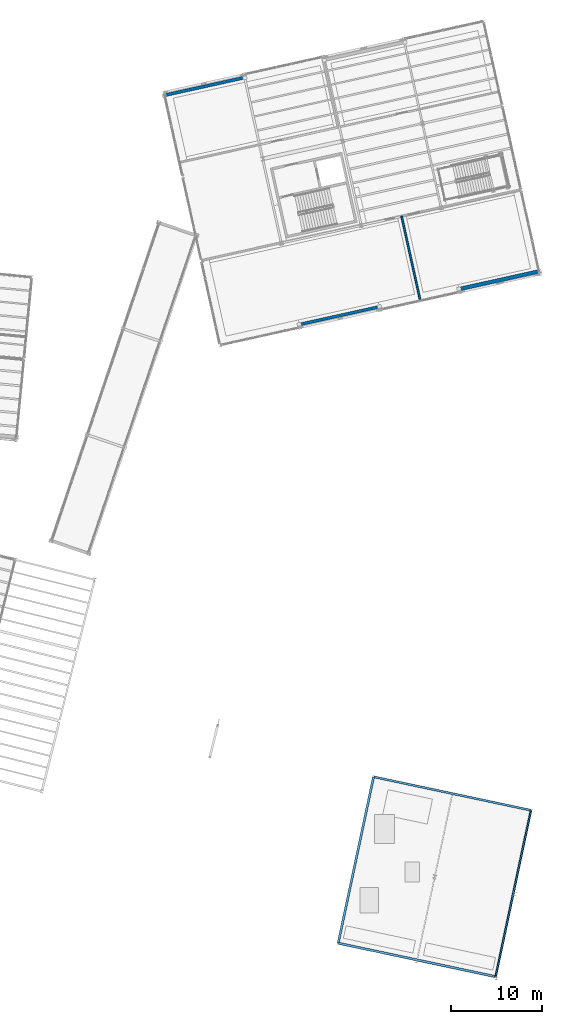
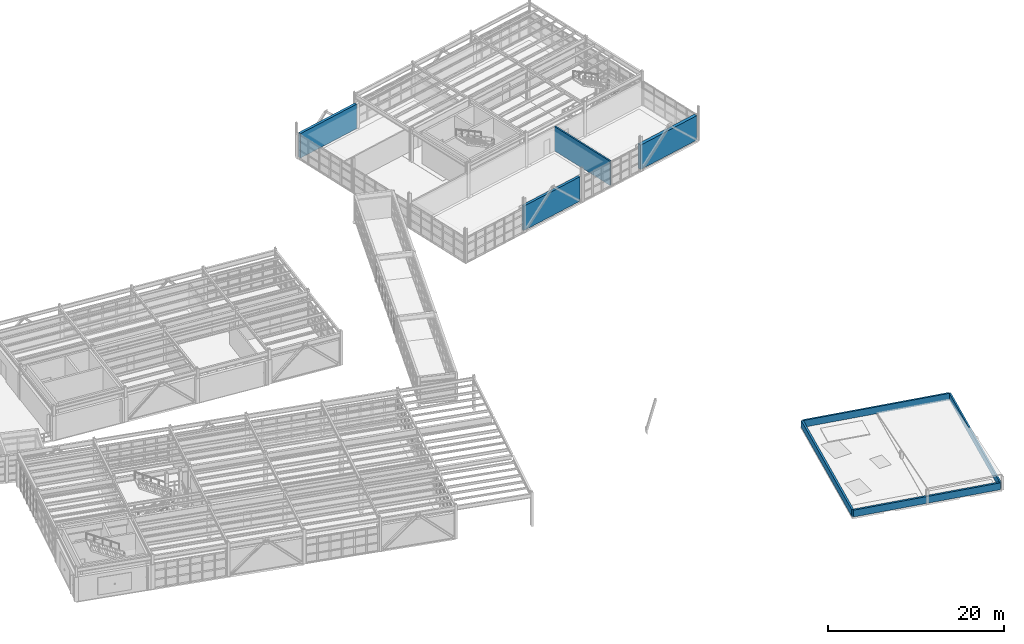
# One storey, part 90 of 102: 8 walls.
"""IFC4 building model written with IfcOpenShell, lengths in metres."""

from ifc_helpers import new_model, si_unit, direction, frame, frame_2d, origin, place, context, subcontext, project, spatial, rectangle, extrude, material, layer, layer_set, type_object, element, save


model = new_model("IFC4")

# Units and contexts
model_context = context("Model", 3, precision=1e-05, world=origin(), true_north=direction((0.0, 1.0)))
body_context = subcontext(model_context, "Body", "Model", "MODEL_VIEW")
ifc_project = project(units=[si_unit("LENGTHUNIT", "METRE"), si_unit("AREAUNIT", "SQUARE_METRE"), si_unit("VOLUMEUNIT", "CUBIC_METRE"), si_unit("PLANEANGLEUNIT", "RADIAN"), si_unit("MASSUNIT", "GRAM", prefix="KILO")], contexts=[model_context])

# Site, building, storey
site_placement = place(None, origin())
site = spatial("IfcSite", under=ifc_project, at=site_placement, CompositionType="ELEMENT")
building_placement = place(site_placement, origin())
building = spatial("IfcBuilding", under=site, at=building_placement, Name="Vireo Bluff Cable Station", CompositionType="ELEMENT")
storey_placement = place(building_placement, frame((0.0, 0.0, 9.60009765625)))
storey = spatial("IfcBuildingStorey", under=building, at=storey_placement, Name="L02", CompositionType="ELEMENT", Elevation=9.60009765625)

# Walls
ifc_material_1 = material(Name="Precast concrete f'c 45 MPa", Category="concrete")
ifc_layer_1 = layer(ifc_material_1, 0.330078125, Name="Precast concrete f'c 45 MPa")
ifc_layer_set_1 = layer_set([ifc_layer_1], Name="Precast concrete f'c 45 MPa")
wall_type_1 = type_object("IfcWallType", Name="EW-PRECAST-330", PredefinedType="SOLIDWALL", material=ifc_layer_set_1)
wall_1_placement = place(storey_placement, frame((143.344970703125, 78.193603515625, 0.0), z_axis=(0.0, 0.0, 1.0), x_axis=(-0.976292773422, -0.216454199693, 0.0)))
element("IfcWall", 1, at=wall_1_placement, inside=storey, type_object=wall_type_1, Name="V2 L02 south exterior wall 40", PredefinedType="SOLIDWALL", context=body_context, shape_type="SweptSolid", body=[
    extrude(rectangle(XDim=8.684814453125, YDim=0.330078125, at=frame_2d((4.34228515625, 0.0))), origin(), (0.0, 0.0, 1.0), 3.39990234375),
])
ifc_layer_2 = layer(ifc_material_1, 0.340087890625, Name="Precast concrete f'c 45 MPa")
ifc_layer_set_2 = layer_set([ifc_layer_2], Name="Precast concrete f'c 45 MPa")
wall_type_2 = type_object("IfcWallType", Name="EW-PRECAST-340", PredefinedType="SOLIDWALL", material=ifc_layer_set_2)
wall_2_placement = place(storey_placement, frame((120.032470703125, 101.520751953125, 0.0), z_axis=(0.0, 0.0, 1.0), x_axis=(0.976293116199, 0.216452653626, 0.0)))
element("IfcWall", 2, at=wall_2_placement, inside=storey, type_object=wall_type_2, Name="V2 L02 north exterior wall 41", PredefinedType="SOLIDWALL", context=body_context, shape_type="SweptSolid", body=[
    extrude(rectangle(XDim=8.7109375, YDim=0.340087890625, at=frame_2d((4.35546875, 0.0))), origin(), (0.0, 0.0, 1.0), 3.39990234375),
])
ifc_layer_3 = layer(ifc_material_1, 0.419921875, Name="Precast concrete f'c 45 MPa")
ifc_layer_set_3 = layer_set([ifc_layer_3], Name="Precast concrete f'c 45 MPa")
wall_type_3 = type_object("IfcWallType", Name="EW-PRECAST-420", PredefinedType="SOLIDWALL", material=ifc_layer_set_3)
wall_3_placement = place(storey_placement, frame((160.945556640625, 82.095458984375, 0.0), z_axis=(0.0, 0.0, 1.0), x_axis=(-0.976297697165, -0.216431990497, 0.0)))
element("IfcWall", 3, at=wall_3_placement, inside=storey, type_object=wall_type_3, Name="V2 L02 south exterior wall 39", PredefinedType="SOLIDWALL", context=body_context, shape_type="SweptSolid", body=[
    extrude(rectangle(XDim=8.712890625, YDim=0.419921875, at=frame_2d((4.3564453125, 0.0))), origin(), (0.0, 0.0, 1.0), 3.39990234375),
])
ifc_material_2 = material(Name="Fire-Rated Gypsum Board Partition")
ifc_layer_4 = layer(ifc_material_2, 0.199951171875, Name="Fire-Rated Gypsum Board Partition")
ifc_layer_set_4 = layer_set([ifc_layer_4], Name="Fire-Rated Gypsum Board Partition")
wall_type_4 = type_object("IfcWallType", Name="PT-2HR-200", PredefinedType="PARTITIONING", material=ifc_layer_set_4)
wall_4_placement = place(storey_placement, frame((145.948486328125, 88.204345703125, 0.0), z_axis=(0.0, 0.0, 1.0), x_axis=(0.216445399334, -0.97629472451, 0.0)))
element("IfcWall", 4, at=wall_4_placement, inside=storey, type_object=wall_type_4, Name="V2 L02 Drive Room E partition", PredefinedType="PARTITIONING", context=body_context, shape_type="SweptSolid", body=[
    extrude(rectangle(XDim=9.380126953125, YDim=0.199951171875, at=frame_2d((4.68994140625, 0.0))), origin(), (0.0, 0.0, 1.0), 3.3798828125),
])
ifc_layer_5 = layer(ifc_material_1, 0.199951171875, Name="Precast concrete f'c 45 MPa")
ifc_layer_set_5 = layer_set([ifc_layer_5], Name="Precast concrete f'c 45 MPa")
wall_type_5 = type_object("IfcWallType", Name="PW-PARAPET-200", PredefinedType="PARAPET", material=ifc_layer_set_5)
wall_5_placement = place(storey_placement, frame((156.304931640625, 4.61328125, 0.0), z_axis=(0.0, 0.0, 1.0), x_axis=(0.207915270313, 0.978146839882, 0.0)))
element("IfcWall", 5, at=wall_5_placement, inside=storey, type_object=wall_type_5, Name="V5E L02 roof parapet 6", PredefinedType="PARAPET", context=body_context, shape_type="SweptSolid", body=[
    extrude(rectangle(XDim=18.599853515625, YDim=0.199951171875, at=frame_2d((9.2998046875, 0.0))), origin(), (0.0, 0.0, 1.0), 0.949951171875),
])
ifc_layer_6 = layer(ifc_material_1, 0.219970703125, Name="Precast concrete f'c 45 MPa")
ifc_layer_set_6 = layer_set([ifc_layer_6], Name="Precast concrete f'c 45 MPa")
wall_type_6 = type_object("IfcWallType", Name="PW-PARAPET-220", PredefinedType="PARAPET", material=ifc_layer_set_6)
wall_6_placement = place(storey_placement, frame((160.133544921875, 22.865966796875, 0.0), z_axis=(0.0, 0.0, 1.0), x_axis=(-0.978145381608, 0.207922130711, 0.0)))
element("IfcWall", 6, at=wall_6_placement, inside=storey, type_object=wall_type_6, Name="V5E L02 roof parapet 7", PredefinedType="PARAPET", context=body_context, shape_type="SweptSolid", body=[
    extrude(rectangle(XDim=17.599853515625, YDim=0.219970703125, at=frame_2d((8.7998046875, 0.0))), origin(), (0.0, 0.0, 1.0), 0.949951171875),
])
ifc_layer_7 = layer(ifc_material_1, 0.25, Name="Precast concrete f'c 45 MPa")
ifc_layer_set_7 = layer_set([ifc_layer_7], Name="Precast concrete f'c 45 MPa")
wall_type_7 = type_object("IfcWallType", Name="PW-PARAPET-250", PredefinedType="PARAPET", material=ifc_layer_set_7)
wall_7_placement = place(storey_placement, frame((139.030029296875, 8.23388671875, 0.0), z_axis=(0.0, 0.0, 1.0), x_axis=(0.978148802322, -0.207906037711, 0.0)))
element("IfcWall", 7, at=wall_7_placement, inside=storey, type_object=wall_type_7, Name="V5E L02 roof parapet 5", PredefinedType="PARAPET", context=body_context, shape_type="SweptSolid", body=[
    extrude(rectangle(XDim=17.60009765625, YDim=0.25, at=frame_2d((8.800048828125, 0.0))), origin(), (0.0, 0.0, 1.0), 0.949951171875),
])
wall_8_placement = place(storey_placement, frame((142.85888671875, 26.48681640625, 0.0), z_axis=(0.0, 0.0, 1.0), x_axis=(-0.207912600897, -0.97814740729, 0.0)))
element("IfcWall", 8, at=wall_8_placement, inside=storey, type_object=wall_type_7, Name="V5E L02 roof parapet 8", PredefinedType="PARAPET", context=body_context, shape_type="SweptSolid", body=[
    extrude(rectangle(XDim=18.60009765625, YDim=0.25, at=frame_2d((9.300048828125, 0.0))), origin(), (0.0, 0.0, 1.0), 0.949951171875),
])

save(model, "model.ifc")
